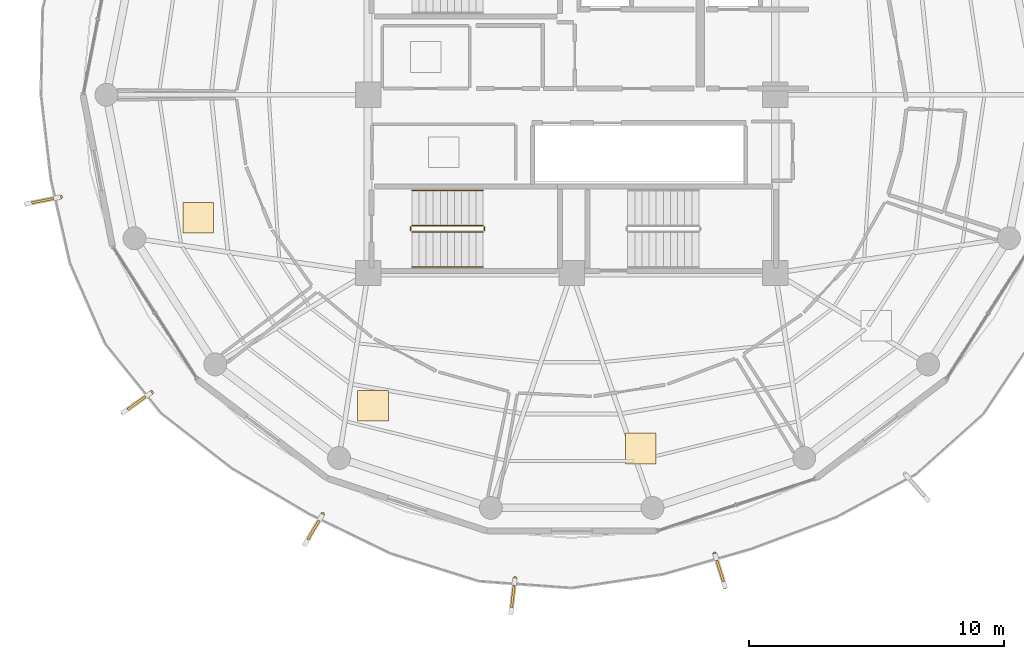
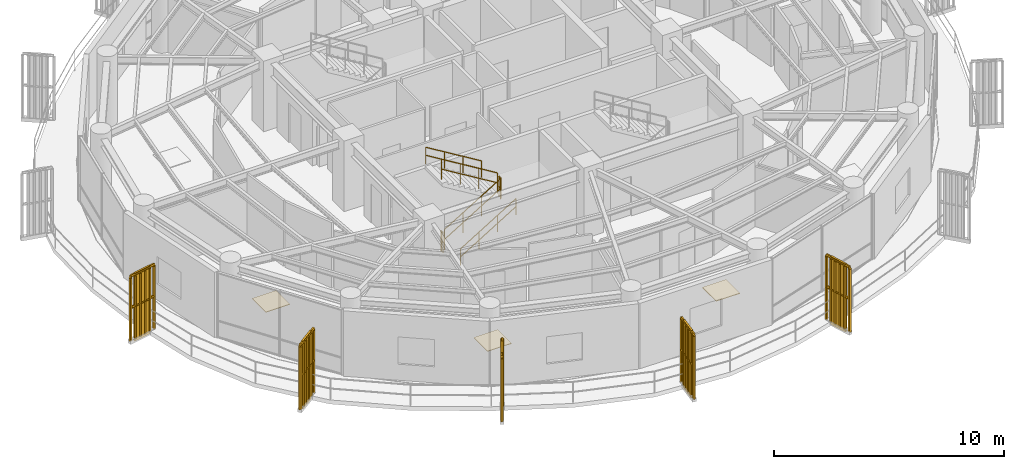
# One storey, part 19 of 22: 11 railings, 5 shading devices, 3 coverings.
"""IFC4 building model written with IfcOpenShell, lengths in metres."""

from ifc_helpers import new_model, si_unit, direction, frame, origin, origin_2d, place, context, subcontext, project, spatial, polyline, rectangle, outline, extrude, source, transform, mapped, material, layer, layer_set, type_object, element, save


model = new_model("IFC4")

# Units and contexts
model_context = context("Model", 3, precision=1e-05, world=origin(), true_north=direction((0.0, 1.0)))
body_context = subcontext(model_context, "Body", "Model", "MODEL_VIEW")
ifc_project = project(units=[si_unit("LENGTHUNIT", "METRE"), si_unit("AREAUNIT", "SQUARE_METRE"), si_unit("VOLUMEUNIT", "CUBIC_METRE"), si_unit("PLANEANGLEUNIT", "RADIAN"), si_unit("MASSUNIT", "GRAM", prefix="KILO")], contexts=[model_context])

# Site, building, storey
site_placement = place(None, origin())
site = spatial("IfcSite", under=ifc_project, at=site_placement, CompositionType="ELEMENT")
building_placement = place(site_placement, origin())
building = spatial("IfcBuilding", under=site, at=building_placement, Name="Kelanora Arch Commons", CompositionType="ELEMENT")
storey_placement = place(building_placement, frame((0.0, 0.0, 267.449951171875)))
storey = spatial("IfcBuildingStorey", under=building, at=storey_placement, Name="L68", CompositionType="ELEMENT", Elevation=267.449951171875)

# Railings
ifc_material_1 = material(Name="Anodised bronze vertical shading fin rib assembly")
railing_type_1 = type_object("IfcRailingType", Name="RAIL-FIN-BRZ", PredefinedType="BALUSTRADE", material=ifc_material_1)
railing_1_placement = place(storey_placement, frame((53.922119140625, 53.9833984375, -0.02001953125)))
element("IfcRailing", 1, at=railing_1_placement, inside=storey, type_object=railing_type_1, Name="Sweeping Bronze Vertical Fin Blade L68-09", PredefinedType="BALUSTRADE", context=body_context, shape_type="SweptSolid", body=[
    extrude(outline(polyline([(0.06982421875, 0.0), (0.034912109375, 0.060546875), (-0.034912109375, 0.060546875), (-0.06982421875, 0.0), (-0.034912109375, -0.060546875), (0.034912109375, -0.060546875), (0.06982421875, 0.0)])), frame((0.0, 0.0, 3.419921875), z_axis=(-0.980553367175, -0.19625262832, 0.0), x_axis=(0.19625262832, -0.980553367175, 0.0)), (0.0, 0.0, 1.0), 1.3759765625),
    extrude(outline(polyline([(0.06982421875, 0.0), (0.034912109375, 0.060546875), (-0.034912109375, 0.060546875), (-0.06982421875, 0.0), (-0.034912109375, -0.060546875), (0.034912109375, -0.060546875), (0.06982421875, 0.0)])), frame((0.0, 0.0, 1.7451171875), z_axis=(-0.980553367175, -0.19625262832, 0.0), x_axis=(0.19625262832, -0.980553367175, 0.0)), (0.0, 0.0, 1.0), 1.3759765625),
    extrude(outline(polyline([(0.080078125, 0.0), (0.0400390625, 0.0693359375), (-0.0400390625, 0.0693359375), (-0.080078125, 0.0), (-0.0400390625, -0.0693359375), (0.0400390625, -0.0693359375), (0.080078125, 0.0)])), origin(), (0.0, 0.0, 1.0), 3.35009765625),
    extrude(outline(polyline([(0.080078125, 0.0), (0.0400390625, 0.0693359375), (-0.0400390625, 0.0693359375), (-0.080078125, 0.0), (-0.0400390625, -0.0693359375), (0.0400390625, -0.0693359375), (0.080078125, 0.0)])), frame((-0.269775390625, -0.053955078125, 0.0)), (0.0, 0.0, 1.0), 3.35009765625),
    extrude(outline(polyline([(0.080078125, 0.0), (0.0400390625, 0.0693359375), (-0.0400390625, 0.0693359375), (-0.080078125, 0.0), (-0.0400390625, -0.0693359375), (0.0400390625, -0.0693359375), (0.080078125, 0.0)])), frame((-0.53955078125, -0.10791015625, 0.0)), (0.0, 0.0, 1.0), 3.35009765625),
    extrude(outline(polyline([(0.080078125, 0.0), (0.0400390625, 0.0693359375), (-0.0400390625, 0.0693359375), (-0.080078125, 0.0), (-0.0400390625, -0.0693359375), (0.0400390625, -0.0693359375), (0.080078125, 0.0)])), frame((-0.8095703125, -0.162109375, 0.0)), (0.0, 0.0, 1.0), 3.35009765625),
    extrude(outline(polyline([(0.080078125, 0.0), (0.0400390625, 0.0693359375), (-0.0400390625, 0.0693359375), (-0.080078125, 0.0), (-0.0400390625, -0.0693359375), (0.0400390625, -0.0693359375), (0.080078125, 0.0)])), frame((-1.079345703125, -0.216064453125, 0.0)), (0.0, 0.0, 1.0), 3.35009765625),
    extrude(outline(polyline([(0.080078125, 0.0), (0.0400390625, 0.0693359375), (-0.0400390625, 0.0693359375), (-0.080078125, 0.0), (-0.0400390625, -0.0693359375), (0.0400390625, -0.0693359375), (0.080078125, 0.0)])), frame((-1.34912109375, -0.27001953125, 0.0)), (0.0, 0.0, 1.0), 3.35009765625),
])
railing_2_placement = place(storey_placement, frame((57.4921875, 46.30615234375, -0.02001953125)))
element("IfcRailing", 2, at=railing_2_placement, inside=storey, type_object=railing_type_1, Name="Sweeping Bronze Vertical Fin Blade L68-10", PredefinedType="BALUSTRADE", context=body_context, shape_type="SweptSolid", body=[
    extrude(outline(polyline([(0.06982421875, 0.0), (0.034912109375, 0.060546875), (-0.034912109375, 0.060546875), (-0.06982421875, 0.0), (-0.034912109375, -0.060546875), (0.034912109375, -0.060546875), (0.06982421875, 0.0)])), frame((0.0, 0.0, 3.419921875), z_axis=(-0.816076788599, -0.577943487816, 0.0), x_axis=(0.577943487816, -0.816076788599, 0.0)), (0.0, 0.0, 1.0), 1.375732421875),
    extrude(outline(polyline([(0.06982421875, 0.0), (0.034912109375, 0.060546875), (-0.034912109375, 0.060546875), (-0.06982421875, 0.0), (-0.034912109375, -0.060546875), (0.034912109375, -0.060546875), (0.06982421875, 0.0)])), frame((0.0, 0.0, 1.7451171875), z_axis=(-0.816076788599, -0.577943487816, 0.0), x_axis=(0.577943487816, -0.816076788599, 0.0)), (0.0, 0.0, 1.0), 1.375732421875),
    extrude(outline(polyline([(0.080078125, 0.0), (0.0400390625, 0.0693359375), (-0.0400390625, 0.0693359375), (-0.080078125, 0.0), (-0.0400390625, -0.0693359375), (0.0400390625, -0.0693359375), (0.080078125, 0.0)])), origin(), (0.0, 0.0, 1.0), 3.35009765625),
    extrude(outline(polyline([(0.080078125, 0.0), (0.0400390625, 0.0693359375), (-0.0400390625, 0.0693359375), (-0.080078125, 0.0), (-0.0400390625, -0.0693359375), (0.0400390625, -0.0693359375), (0.080078125, 0.0)])), frame((-0.224609375, -0.158935546875, 0.0)), (0.0, 0.0, 1.0), 3.35009765625),
    extrude(outline(polyline([(0.080078125, 0.0), (0.0400390625, 0.0693359375), (-0.0400390625, 0.0693359375), (-0.080078125, 0.0), (-0.0400390625, -0.0693359375), (0.0400390625, -0.0693359375), (0.080078125, 0.0)])), frame((-0.44921875, -0.318115234375, 0.0)), (0.0, 0.0, 1.0), 3.35009765625),
    extrude(outline(polyline([(0.080078125, 0.0), (0.0400390625, 0.0693359375), (-0.0400390625, 0.0693359375), (-0.080078125, 0.0), (-0.0400390625, -0.0693359375), (0.0400390625, -0.0693359375), (0.080078125, 0.0)])), frame((-0.673583984375, -0.47705078125, 0.0)), (0.0, 0.0, 1.0), 3.35009765625),
    extrude(outline(polyline([(0.080078125, 0.0), (0.0400390625, 0.0693359375), (-0.0400390625, 0.0693359375), (-0.080078125, 0.0), (-0.0400390625, -0.0693359375), (0.0400390625, -0.0693359375), (0.080078125, 0.0)])), frame((-0.898193359375, -0.63623046875, 0.0)), (0.0, 0.0, 1.0), 3.35009765625),
    extrude(outline(polyline([(0.080078125, 0.0), (0.0400390625, 0.0693359375), (-0.0400390625, 0.0693359375), (-0.080078125, 0.0), (-0.0400390625, -0.0693359375), (0.0400390625, -0.0693359375), (0.080078125, 0.0)])), frame((-1.122802734375, -0.795166015625, 0.0)), (0.0, 0.0, 1.0), 3.35009765625),
])
railing_3_placement = place(storey_placement, frame((64.218017578125, 41.5166015625, -0.02001953125)))
element("IfcRailing", 3, at=railing_3_placement, inside=storey, type_object=railing_type_1, Name="Sweeping Bronze Vertical Fin Blade L68-11", PredefinedType="BALUSTRADE", context=body_context, shape_type="SweptSolid", body=[
    extrude(outline(polyline([(0.06982421875, 0.0), (0.034912109375, 0.060546875), (-0.034912109375, 0.060546875), (-0.06982421875, 0.0), (-0.034912109375, -0.060546875), (0.034912109375, -0.060546875), (0.06982421875, 0.0)])), frame((0.0, 0.0, 3.419921875), z_axis=(-0.510366540086, -0.859956972621, 0.0), x_axis=(0.859956972621, -0.510366540086, 0.0)), (0.0, 0.0, 1.0), 1.375732421875),
    extrude(outline(polyline([(0.06982421875, 0.0), (0.034912109375, 0.060546875), (-0.034912109375, 0.060546875), (-0.06982421875, 0.0), (-0.034912109375, -0.060546875), (0.034912109375, -0.060546875), (0.06982421875, 0.0)])), frame((0.0, 0.0, 1.7451171875), z_axis=(-0.510366540086, -0.859956972621, 0.0), x_axis=(0.859956972621, -0.510366540086, 0.0)), (0.0, 0.0, 1.0), 1.375732421875),
    extrude(outline(polyline([(0.080078125, 0.0), (0.0400390625, 0.0693359375), (-0.0400390625, 0.0693359375), (-0.080078125, 0.0), (-0.0400390625, -0.0693359375), (0.0400390625, -0.0693359375), (0.080078125, 0.0)])), origin(), (0.0, 0.0, 1.0), 3.35009765625),
    extrude(outline(polyline([(0.080078125, 0.0), (0.0400390625, 0.0693359375), (-0.0400390625, 0.0693359375), (-0.080078125, 0.0), (-0.0400390625, -0.0693359375), (0.0400390625, -0.0693359375), (0.080078125, 0.0)])), frame((-0.140380859375, -0.236572265625, 0.0)), (0.0, 0.0, 1.0), 3.35009765625),
    extrude(outline(polyline([(0.080078125, 0.0), (0.0400390625, 0.0693359375), (-0.0400390625, 0.0693359375), (-0.080078125, 0.0), (-0.0400390625, -0.0693359375), (0.0400390625, -0.0693359375), (0.080078125, 0.0)])), frame((-0.28076171875, -0.47314453125, 0.0)), (0.0, 0.0, 1.0), 3.35009765625),
    extrude(outline(polyline([(0.080078125, 0.0), (0.0400390625, 0.0693359375), (-0.0400390625, 0.0693359375), (-0.080078125, 0.0), (-0.0400390625, -0.0693359375), (0.0400390625, -0.0693359375), (0.080078125, 0.0)])), frame((-0.42138671875, -0.7099609375, 0.0)), (0.0, 0.0, 1.0), 3.35009765625),
    extrude(outline(polyline([(0.080078125, 0.0), (0.0400390625, 0.0693359375), (-0.0400390625, 0.0693359375), (-0.080078125, 0.0), (-0.0400390625, -0.0693359375), (0.0400390625, -0.0693359375), (0.080078125, 0.0)])), frame((-0.561767578125, -0.946533203125, 0.0)), (0.0, 0.0, 1.0), 3.35009765625),
    extrude(outline(polyline([(0.080078125, 0.0), (0.0400390625, 0.0693359375), (-0.0400390625, 0.0693359375), (-0.080078125, 0.0), (-0.0400390625, -0.0693359375), (0.0400390625, -0.0693359375), (0.080078125, 0.0)])), frame((-0.7021484375, -1.18310546875, 0.0)), (0.0, 0.0, 1.0), 3.35009765625),
])
railing_4_placement = place(storey_placement, frame((71.7734375, 39.008544921875, -0.02001953125)))
element("IfcRailing", 4, at=railing_4_placement, inside=storey, type_object=railing_type_1, Name="Sweeping Bronze Vertical Fin Blade L68-12", PredefinedType="BALUSTRADE", context=body_context, shape_type="SweptSolid", body=[
    extrude(outline(polyline([(0.06982421875, 0.0), (0.034912109375, 0.060546875), (-0.034912109375, 0.060546875), (-0.06982421875, 0.0), (-0.034912109375, -0.060546875), (0.034912109375, -0.060546875), (0.06982421875, 0.0)])), frame((0.0, 0.0, 3.419921875), z_axis=(-0.116408809693, -0.993201383923, 0.0), x_axis=(0.993201383923, -0.116408809693, 0.0)), (0.0, 0.0, 1.0), 1.375732421875),
    extrude(outline(polyline([(0.06982421875, 0.0), (0.034912109375, 0.060546875), (-0.034912109375, 0.060546875), (-0.06982421875, 0.0), (-0.034912109375, -0.060546875), (0.034912109375, -0.060546875), (0.06982421875, 0.0)])), frame((0.0, 0.0, 1.7451171875), z_axis=(-0.116408809693, -0.993201383923, 0.0), x_axis=(0.993201383923, -0.116408809693, 0.0)), (0.0, 0.0, 1.0), 1.375732421875),
    extrude(outline(polyline([(0.080078125, 0.0), (0.0400390625, 0.0693359375), (-0.0400390625, 0.0693359375), (-0.080078125, 0.0), (-0.0400390625, -0.0693359375), (0.0400390625, -0.0693359375), (0.080078125, 0.0)])), origin(), (0.0, 0.0, 1.0), 3.35009765625),
    extrude(outline(polyline([(0.080078125, 0.0), (0.0400390625, 0.0693359375), (-0.0400390625, 0.0693359375), (-0.080078125, 0.0), (-0.0400390625, -0.0693359375), (0.0400390625, -0.0693359375), (0.080078125, 0.0)])), frame((-0.031982421875, -0.273193359375, 0.0)), (0.0, 0.0, 1.0), 3.35009765625),
    extrude(outline(polyline([(0.080078125, 0.0), (0.0400390625, 0.0693359375), (-0.0400390625, 0.0693359375), (-0.080078125, 0.0), (-0.0400390625, -0.0693359375), (0.0400390625, -0.0693359375), (0.080078125, 0.0)])), frame((-0.06396484375, -0.546630859375, 0.0)), (0.0, 0.0, 1.0), 3.35009765625),
    extrude(outline(polyline([(0.080078125, 0.0), (0.0400390625, 0.0693359375), (-0.0400390625, 0.0693359375), (-0.080078125, 0.0), (-0.0400390625, -0.0693359375), (0.0400390625, -0.0693359375), (0.080078125, 0.0)])), frame((-0.09619140625, -0.81982421875, 0.0)), (0.0, 0.0, 1.0), 3.35009765625),
    extrude(outline(polyline([(0.080078125, 0.0), (0.0400390625, 0.0693359375), (-0.0400390625, 0.0693359375), (-0.080078125, 0.0), (-0.0400390625, -0.0693359375), (0.0400390625, -0.0693359375), (0.080078125, 0.0)])), frame((-0.128173828125, -1.09326171875, 0.0)), (0.0, 0.0, 1.0), 3.35009765625),
    extrude(outline(polyline([(0.080078125, 0.0), (0.0400390625, 0.0693359375), (-0.0400390625, 0.0693359375), (-0.080078125, 0.0), (-0.0400390625, -0.0693359375), (0.0400390625, -0.0693359375), (0.080078125, 0.0)])), frame((-0.16015625, -1.366455078125, 0.0)), (0.0, 0.0, 1.0), 3.35009765625),
])
railing_5_placement = place(storey_placement, frame((79.61865234375, 39.974853515625, -0.02001953125)))
element("IfcRailing", 5, at=railing_5_placement, inside=storey, type_object=railing_type_1, Name="Sweeping Bronze Vertical Fin Blade L68-13", PredefinedType="BALUSTRADE", context=body_context, shape_type="SweptSolid", body=[
    extrude(outline(polyline([(0.06982421875, 0.0), (0.034912109375, 0.060546875), (-0.034912109375, 0.060546875), (-0.06982421875, 0.0), (-0.034912109375, -0.060546875), (0.034912109375, -0.060546875), (0.06982421875, 0.0)])), frame((0.0, 0.0, 3.419921875), z_axis=(0.297587839991, -0.95469444195, 0.0), x_axis=(0.95469444195, 0.297587839991, 0.0)), (0.0, 0.0, 1.0), 1.375732421875),
    extrude(outline(polyline([(0.06982421875, 0.0), (0.034912109375, 0.060546875), (-0.034912109375, 0.060546875), (-0.06982421875, 0.0), (-0.034912109375, -0.060546875), (0.034912109375, -0.060546875), (0.06982421875, 0.0)])), frame((0.0, 0.0, 1.7451171875), z_axis=(0.297587839991, -0.95469444195, 0.0), x_axis=(0.95469444195, 0.297587839991, 0.0)), (0.0, 0.0, 1.0), 1.375732421875),
    extrude(outline(polyline([(0.080078125, 0.0), (0.0400390625, 0.0693359375), (-0.0400390625, 0.0693359375), (-0.080078125, 0.0), (-0.0400390625, -0.0693359375), (0.0400390625, -0.0693359375), (0.080078125, 0.0)])), origin(), (0.0, 0.0, 1.0), 3.35009765625),
    extrude(outline(polyline([(0.080078125, 0.0), (0.0400390625, 0.0693359375), (-0.0400390625, 0.0693359375), (-0.080078125, 0.0), (-0.0400390625, -0.0693359375), (0.0400390625, -0.0693359375), (0.080078125, 0.0)])), frame((0.081787109375, -0.2626953125, 0.0)), (0.0, 0.0, 1.0), 3.35009765625),
    extrude(outline(polyline([(0.080078125, 0.0), (0.0400390625, 0.0693359375), (-0.0400390625, 0.0693359375), (-0.080078125, 0.0), (-0.0400390625, -0.0693359375), (0.0400390625, -0.0693359375), (0.080078125, 0.0)])), frame((0.163818359375, -0.525390625, 0.0)), (0.0, 0.0, 1.0), 3.35009765625),
    extrude(outline(polyline([(0.080078125, 0.0), (0.0400390625, 0.0693359375), (-0.0400390625, 0.0693359375), (-0.080078125, 0.0), (-0.0400390625, -0.0693359375), (0.0400390625, -0.0693359375), (0.080078125, 0.0)])), frame((0.24560546875, -0.7880859375, 0.0)), (0.0, 0.0, 1.0), 3.35009765625),
    extrude(outline(polyline([(0.080078125, 0.0), (0.0400390625, 0.0693359375), (-0.0400390625, 0.0693359375), (-0.080078125, 0.0), (-0.0400390625, -0.0693359375), (0.0400390625, -0.0693359375), (0.080078125, 0.0)])), frame((0.32763671875, -1.05078125, 0.0)), (0.0, 0.0, 1.0), 3.35009765625),
    extrude(outline(polyline([(0.080078125, 0.0), (0.0400390625, 0.0693359375), (-0.0400390625, 0.0693359375), (-0.080078125, 0.0), (-0.0400390625, -0.0693359375), (0.0400390625, -0.0693359375), (0.080078125, 0.0)])), frame((0.409423828125, -1.3134765625, 0.0)), (0.0, 0.0, 1.0), 3.35009765625),
])
ifc_material_2 = material(Name="Painted steel stair well guard", Category="steel")
railing_type_2 = type_object("IfcRailingType", Name="RAIL-STAIR-GRD", PredefinedType="GUARDRAIL", material=ifc_material_2)
railing_6_placement = place(storey_placement, frame((67.719970703125, 52.610107421875, 0.17041015625)))
element("IfcRailing", 6, at=railing_6_placement, inside=storey, type_object=railing_type_2, Name="L68 ST-T3 stair guard 1", PredefinedType="GUARDRAIL", context=body_context, shape_type="SweptSolid", body=[
    extrude(outline(polyline([(0.02392578125, 0.0), (0.011962890625, 0.020751953125), (-0.011962890625, 0.020751953125), (-0.02392578125, 0.0), (-0.011962890625, -0.020751953125), (0.011962890625, -0.020751953125), (0.02392578125, 0.0)])), frame((0.0, 0.0, 1.076171875), z_axis=(0.854169791009, 0.0, 0.51999420009), x_axis=(0.0, 1.0, 0.0)), (0.0, 0.0, 1.0), 3.278076171875),
    extrude(outline(polyline([(0.02392578125, 0.0), (0.011962890625, 0.020751953125), (-0.011962890625, 0.020751953125), (-0.02392578125, 0.0), (-0.011962890625, -0.020751953125), (0.011962890625, -0.020751953125), (0.02392578125, 0.0)])), frame((0.0, 0.0, 0.550048828125), z_axis=(0.854169791009, 0.0, 0.51999420009), x_axis=(0.0, 1.0, 0.0)), (0.0, 0.0, 1.0), 3.278076171875),
    extrude(outline(polyline([(0.02099609375, 0.0), (0.010498046875, 0.01806640625), (-0.010498046875, 0.01806640625), (-0.02099609375, 0.0), (-0.010498046875, -0.01806640625), (0.010498046875, -0.01806640625), (0.02099609375, 0.0)])), origin(), (0.0, 0.0, 1.0), 1.052001953125),
    extrude(outline(polyline([(0.02099609375, 0.0), (0.010498046875, 0.01806640625), (-0.010498046875, 0.01806640625), (-0.02099609375, 0.0), (-0.010498046875, -0.01806640625), (0.010498046875, -0.01806640625), (0.02099609375, 0.0)])), frame((0.933349609375, 0.0, 0.568115234375)), (0.0, 0.0, 1.0), 1.052001953125),
    extrude(outline(polyline([(0.02099609375, 0.0), (0.010498046875, 0.01806640625), (-0.010498046875, 0.01806640625), (-0.02099609375, 0.0), (-0.010498046875, -0.01806640625), (0.010498046875, -0.01806640625), (0.02099609375, 0.0)])), frame((1.86669921875, 0.0, 1.136474609375)), (0.0, 0.0, 1.0), 1.052001953125),
    extrude(outline(polyline([(0.02099609375, 0.0), (0.010498046875, 0.01806640625), (-0.010498046875, 0.01806640625), (-0.02099609375, 0.0), (-0.010498046875, -0.01806640625), (0.010498046875, -0.01806640625), (0.02099609375, 0.0)])), frame((2.800048828125, 0.0, 1.70458984375)), (0.0, 0.0, 1.0), 1.052001953125),
])
railing_7_placement = place(storey_placement, frame((70.570068359375, 52.659912109375, 1.875)))
element("IfcRailing", 7, at=railing_7_placement, inside=storey, type_object=railing_type_2, Name="L68 ST-T3 stair guard 2", PredefinedType="GUARDRAIL", context=body_context, shape_type="SweptSolid", body=[
    extrude(outline(polyline([(0.02392578125, 0.0), (0.011962890625, 0.020751953125), (-0.011962890625, 0.020751953125), (-0.02392578125, 0.0), (-0.011962890625, -0.020751953125), (0.011962890625, -0.020751953125), (0.02392578125, 0.0)])), frame((0.0, 0.0, 1.076171875), z_axis=(0.0, 1.0, 0.0), x_axis=(-1.0, 0.0, 0.0)), (0.0, 0.0, 1.0), 0.150146484375),
    extrude(outline(polyline([(0.02392578125, 0.0), (0.011962890625, 0.020751953125), (-0.011962890625, 0.020751953125), (-0.02392578125, 0.0), (-0.011962890625, -0.020751953125), (0.011962890625, -0.020751953125), (0.02392578125, 0.0)])), frame((0.0, 0.0, 0.550048828125), z_axis=(0.0, 1.0, 0.0), x_axis=(-1.0, 0.0, 0.0)), (0.0, 0.0, 1.0), 0.150146484375),
    extrude(outline(polyline([(0.02099609375, 0.0), (0.010498046875, 0.01806640625), (-0.010498046875, 0.01806640625), (-0.02099609375, 0.0), (-0.010498046875, -0.01806640625), (0.010498046875, -0.01806640625), (0.02099609375, 0.0)])), origin(), (0.0, 0.0, 1.0), 1.052001953125),
    extrude(outline(polyline([(0.02099609375, 0.0), (0.010498046875, 0.01806640625), (-0.010498046875, 0.01806640625), (-0.02099609375, 0.0), (-0.010498046875, -0.01806640625), (0.010498046875, -0.01806640625), (0.02099609375, 0.0)])), frame((0.0, 0.150146484375, 0.0)), (0.0, 0.0, 1.0), 1.052001953125),
])
railing_8_placement = place(storey_placement, frame((70.52001953125, 52.860107421875, 2.04541015625)))
element("IfcRailing", 8, at=railing_8_placement, inside=storey, type_object=railing_type_2, Name="L68 ST-T3 stair guard 3", PredefinedType="GUARDRAIL", context=body_context, shape_type="SweptSolid", body=[
    extrude(outline(polyline([(0.02392578125, 0.0), (0.011962890625, 0.020751953125), (-0.011962890625, 0.020751953125), (-0.02392578125, 0.0), (-0.011962890625, -0.020751953125), (0.011962890625, -0.020751953125), (0.02392578125, 0.0)])), frame((0.0, 0.0, 1.076171875), z_axis=(-0.854169791009, 0.0, 0.51999420009), x_axis=(0.0, -1.0, 0.0)), (0.0, 0.0, 1.0), 3.278076171875),
    extrude(outline(polyline([(0.02392578125, 0.0), (0.011962890625, 0.020751953125), (-0.011962890625, 0.020751953125), (-0.02392578125, 0.0), (-0.011962890625, -0.020751953125), (0.011962890625, -0.020751953125), (0.02392578125, 0.0)])), frame((0.0, 0.0, 0.550048828125), z_axis=(-0.854169791009, 0.0, 0.51999420009), x_axis=(0.0, -1.0, 0.0)), (0.0, 0.0, 1.0), 3.278076171875),
    extrude(outline(polyline([(0.02099609375, 0.0), (0.010498046875, 0.01806640625), (-0.010498046875, 0.01806640625), (-0.02099609375, 0.0), (-0.010498046875, -0.01806640625), (0.010498046875, -0.01806640625), (0.02099609375, 0.0)])), origin(), (0.0, 0.0, 1.0), 1.052001953125),
    extrude(outline(polyline([(0.02099609375, 0.0), (0.010498046875, 0.01806640625), (-0.010498046875, 0.01806640625), (-0.02099609375, 0.0), (-0.010498046875, -0.01806640625), (0.010498046875, -0.01806640625), (0.02099609375, 0.0)])), frame((-0.933349609375, 0.0, 0.568115234375)), (0.0, 0.0, 1.0), 1.052001953125),
    extrude(outline(polyline([(0.02099609375, 0.0), (0.010498046875, 0.01806640625), (-0.010498046875, 0.01806640625), (-0.02099609375, 0.0), (-0.010498046875, -0.01806640625), (0.010498046875, -0.01806640625), (0.02099609375, 0.0)])), frame((-1.86669921875, 0.0, 1.136474609375)), (0.0, 0.0, 1.0), 1.052001953125),
    extrude(outline(polyline([(0.02099609375, 0.0), (0.010498046875, 0.01806640625), (-0.010498046875, 0.01806640625), (-0.02099609375, 0.0), (-0.010498046875, -0.01806640625), (0.010498046875, -0.01806640625), (0.02099609375, 0.0)])), frame((-2.800048828125, 0.0, 1.70458984375)), (0.0, 0.0, 1.0), 1.052001953125),
])
railing_9_placement = place(storey_placement, frame((67.669921875, 52.659912109375, 0.0)))
element("IfcRailing", 9, at=railing_9_placement, inside=storey, type_object=railing_type_2, Name="L68 ST-T3 stair guard 4", PredefinedType="GUARDRAIL", context=body_context, shape_type="SweptSolid", body=[
    extrude(outline(polyline([(0.02392578125, 0.0), (0.011962890625, 0.020751953125), (-0.011962890625, 0.020751953125), (-0.02392578125, 0.0), (-0.011962890625, -0.020751953125), (0.011962890625, -0.020751953125), (0.02392578125, 0.0)])), frame((0.0, 0.0, 1.076171875), z_axis=(0.0, 1.0, 0.0), x_axis=(-1.0, 0.0, 0.0)), (0.0, 0.0, 1.0), 0.150146484375),
    extrude(outline(polyline([(0.02392578125, 0.0), (0.011962890625, 0.020751953125), (-0.011962890625, 0.020751953125), (-0.02392578125, 0.0), (-0.011962890625, -0.020751953125), (0.011962890625, -0.020751953125), (0.02392578125, 0.0)])), frame((0.0, 0.0, 0.550048828125), z_axis=(0.0, 1.0, 0.0), x_axis=(-1.0, 0.0, 0.0)), (0.0, 0.0, 1.0), 0.150146484375),
    extrude(outline(polyline([(0.02099609375, 0.0), (0.010498046875, 0.01806640625), (-0.010498046875, 0.01806640625), (-0.02099609375, 0.0), (-0.010498046875, -0.01806640625), (0.010498046875, -0.01806640625), (0.02099609375, 0.0)])), origin(), (0.0, 0.0, 1.0), 1.052001953125),
    extrude(outline(polyline([(0.02099609375, 0.0), (0.010498046875, 0.01806640625), (-0.010498046875, 0.01806640625), (-0.02099609375, 0.0), (-0.010498046875, -0.01806640625), (0.010498046875, -0.01806640625), (0.02099609375, 0.0)])), frame((0.0, 0.150146484375, 0.0)), (0.0, 0.0, 1.0), 1.052001953125),
])
ifc_material_3 = material(Name="Brushed stainless steel stair handrail", Category="steel")
railing_type_3 = type_object("IfcRailingType", Name="RAIL-STAIR-HND", PredefinedType="HANDRAIL", material=ifc_material_3)
railing_10_placement = place(storey_placement, frame((67.719970703125, 51.22998046875, 0.17041015625)))
element("IfcRailing", 10, at=railing_10_placement, inside=storey, type_object=railing_type_3, Name="L68 ST-T3 stair handrail 1", PredefinedType="HANDRAIL", context=body_context, shape_type="SweptSolid", body=[
    extrude(outline(polyline([(0.02392578125, 0.0), (0.011962890625, 0.020751953125), (-0.011962890625, 0.020751953125), (-0.02392578125, 0.0), (-0.011962890625, -0.020751953125), (0.011962890625, -0.020751953125), (0.02392578125, 0.0)])), frame((0.0, 0.0, 0.8759765625), z_axis=(0.854169791009, 0.0, 0.51999420009), x_axis=(0.0, 1.0, 0.0)), (0.0, 0.0, 1.0), 3.278076171875),
    extrude(outline(polyline([(0.02392578125, 0.0), (0.011962890625, 0.020751953125), (-0.011962890625, 0.020751953125), (-0.02392578125, 0.0), (-0.011962890625, -0.020751953125), (0.011962890625, -0.020751953125), (0.02392578125, 0.0)])), frame((0.0, 0.0, 0.449951171875), z_axis=(0.854169791009, 0.0, 0.51999420009), x_axis=(0.0, 1.0, 0.0)), (0.0, 0.0, 1.0), 3.278076171875),
    extrude(outline(polyline([(0.02099609375, 0.0), (0.010498046875, 0.01806640625), (-0.010498046875, 0.01806640625), (-0.02099609375, 0.0), (-0.010498046875, -0.01806640625), (0.010498046875, -0.01806640625), (0.02099609375, 0.0)])), origin(), (0.0, 0.0, 1.0), 0.851806640625),
    extrude(outline(polyline([(0.02099609375, 0.0), (0.010498046875, 0.01806640625), (-0.010498046875, 0.01806640625), (-0.02099609375, 0.0), (-0.010498046875, -0.01806640625), (0.010498046875, -0.01806640625), (0.02099609375, 0.0)])), frame((0.933349609375, 0.0, 0.568115234375)), (0.0, 0.0, 1.0), 0.851806640625),
    extrude(outline(polyline([(0.02099609375, 0.0), (0.010498046875, 0.01806640625), (-0.010498046875, 0.01806640625), (-0.02099609375, 0.0), (-0.010498046875, -0.01806640625), (0.010498046875, -0.01806640625), (0.02099609375, 0.0)])), frame((1.86669921875, 0.0, 1.136474609375)), (0.0, 0.0, 1.0), 0.851806640625),
    extrude(outline(polyline([(0.02099609375, 0.0), (0.010498046875, 0.01806640625), (-0.010498046875, 0.01806640625), (-0.02099609375, 0.0), (-0.010498046875, -0.01806640625), (0.010498046875, -0.01806640625), (0.02099609375, 0.0)])), frame((2.800048828125, 0.0, 1.70458984375)), (0.0, 0.0, 1.0), 0.851806640625),
])
railing_11_placement = place(storey_placement, frame((70.52001953125, 54.239990234375, 2.04541015625)))
element("IfcRailing", 11, at=railing_11_placement, inside=storey, type_object=railing_type_3, Name="L68 ST-T3 stair handrail 2", PredefinedType="HANDRAIL", context=body_context, shape_type="SweptSolid", body=[
    extrude(outline(polyline([(0.02392578125, 0.0), (0.011962890625, 0.020751953125), (-0.011962890625, 0.020751953125), (-0.02392578125, 0.0), (-0.011962890625, -0.020751953125), (0.011962890625, -0.020751953125), (0.02392578125, 0.0)])), frame((0.0, 0.0, 0.8759765625), z_axis=(-0.854169791009, 0.0, 0.51999420009), x_axis=(0.0, -1.0, 0.0)), (0.0, 0.0, 1.0), 3.278076171875),
    extrude(outline(polyline([(0.02392578125, 0.0), (0.011962890625, 0.020751953125), (-0.011962890625, 0.020751953125), (-0.02392578125, 0.0), (-0.011962890625, -0.020751953125), (0.011962890625, -0.020751953125), (0.02392578125, 0.0)])), frame((0.0, 0.0, 0.449951171875), z_axis=(-0.854169791009, 0.0, 0.51999420009), x_axis=(0.0, -1.0, 0.0)), (0.0, 0.0, 1.0), 3.278076171875),
    extrude(outline(polyline([(0.02099609375, 0.0), (0.010498046875, 0.01806640625), (-0.010498046875, 0.01806640625), (-0.02099609375, 0.0), (-0.010498046875, -0.01806640625), (0.010498046875, -0.01806640625), (0.02099609375, 0.0)])), origin(), (0.0, 0.0, 1.0), 0.851806640625),
    extrude(outline(polyline([(0.02099609375, 0.0), (0.010498046875, 0.01806640625), (-0.010498046875, 0.01806640625), (-0.02099609375, 0.0), (-0.010498046875, -0.01806640625), (0.010498046875, -0.01806640625), (0.02099609375, 0.0)])), frame((-0.933349609375, 0.0, 0.568115234375)), (0.0, 0.0, 1.0), 0.851806640625),
    extrude(outline(polyline([(0.02099609375, 0.0), (0.010498046875, 0.01806640625), (-0.010498046875, 0.01806640625), (-0.02099609375, 0.0), (-0.010498046875, -0.01806640625), (0.010498046875, -0.01806640625), (0.02099609375, 0.0)])), frame((-1.86669921875, 0.0, 1.136474609375)), (0.0, 0.0, 1.0), 0.851806640625),
    extrude(outline(polyline([(0.02099609375, 0.0), (0.010498046875, 0.01806640625), (-0.010498046875, 0.01806640625), (-0.02099609375, 0.0), (-0.010498046875, -0.01806640625), (0.010498046875, -0.01806640625), (0.02099609375, 0.0)])), frame((-2.800048828125, 0.0, 1.70458984375)), (0.0, 0.0, 1.0), 0.851806640625),
])

# Shading devices
ifc_material_4 = material(Name="Terracotta ceramic-clad extruded aluminium fin", Category="masonry")
shading_device_type = type_object("IfcShadingDeviceType", Name="SHD-FIN-FLARE", PredefinedType="USERDEFINED", material=ifc_material_4)
shared_shape_1 = source(origin(), body_context, "Body", "SweptSolid", [
    extrude(rectangle(XDim=0.8798828125, YDim=0.090087890625, at=origin_2d()), origin(), (0.0, 0.0, 1.0), 3.610107421875),
])
for number, where, z_axis, x_axis, name in (
    (12, (53.216064453125, 53.842041015625, -0.14013671875), (0.0, 0.0, 1.0), (-0.980580444557, -0.196117290802, 0.0), "Sweeping Terracotta Fin L68-09"),
    (13, (56.904541015625, 45.889892578125, -0.14013671875), (0.0, 0.0, 1.0), (-0.816036722469, -0.578000058462, 0.0), "Sweeping Terracotta Fin L68-10"),
    (14, (63.8505859375, 40.8974609375, -0.14013671875), (0.0, 0.0, 1.0), (-0.510392837604, -0.859941365049, 0.0), "Sweeping Terracotta Fin L68-11"),
    (15, (71.689453125, 38.29345703125, -0.14013671875), (0.0, 0.0, 1.0), (-0.116497394345, -0.993190997297, 0.0), "Sweeping Terracotta Fin L68-12"),
    (16, (79.8330078125, 39.287353515625, -0.14013671875), (0.0, 0.0, 1.0), (0.297541506743, -0.954708883255, 0.0), "Sweeping Terracotta Fin L68-13"),
):
    element("IfcShadingDevice", number, at=place(storey_placement, frame(where, z_axis=z_axis, x_axis=x_axis)), inside=storey, type_object=shading_device_type, Name=name, ObjectType="FIN", PredefinedType="USERDEFINED", context=body_context, shape_type="MappedRepresentation", body=[
        mapped(shared_shape_1, transform((0.0, 0.0, 0.0), scale=1.0)),
    ])

# Coverings
ifc_material_5 = material(Name="Polished local granite terrazzo flooring", Category="masonry")
ifc_layer = layer(ifc_material_5, 0.030029296875)
ifc_layer_set = layer_set([ifc_layer], Name="Polished local granite terrazzo flooring")
covering_type = type_object("IfcCoveringType", Name="COV-FLR-TER", PredefinedType="FLOORING", material=ifc_layer_set)
shared_shape_2 = source(origin(), body_context, "Body", "SweptSolid", [
    extrude(rectangle(XDim=1.199951171875, YDim=1.199951171875, at=origin_2d()), origin(), (0.0, 0.0, 1.0), 0.030029296875),
])
for number, where, z_axis, x_axis, name in (
    (17, (59.330078125, 53.17431640625, 0.0), (0.0, 0.0, 1.0), (1.0, 0.0, 0.0), "Social Sky Lounge L68-04 Terrazzo Finish"),
    (18, (66.1943359375, 45.780517578125, 0.0), (0.0, 0.0, 1.0), (1.0, 0.0, 0.0), "Social Sky Lounge L68-05 Terrazzo Finish"),
    (19, (76.7109375, 44.1044921875, 0.0), (0.0, 0.0, 1.0), (1.0, 0.0, 0.0), "Quiet Seminar Study Room L68-06 Terrazzo Finish"),
):
    element("IfcCovering", number, at=place(storey_placement, frame(where, z_axis=z_axis, x_axis=x_axis)), inside=storey, type_object=covering_type, Name=name, PredefinedType="FLOORING", context=body_context, shape_type="MappedRepresentation", body=[
        mapped(shared_shape_2, transform((0.0, 0.0, 0.0), scale=1.0)),
    ])

save(model, "model.ifc")
